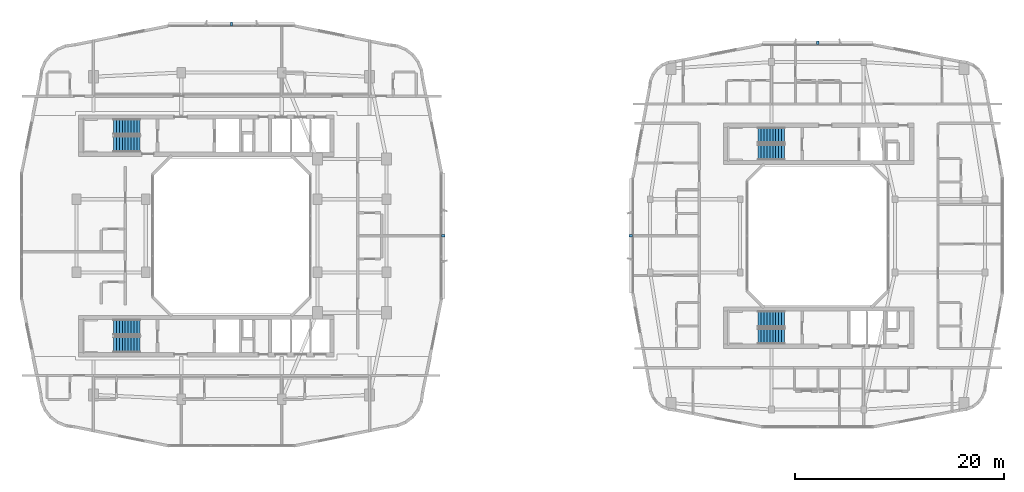
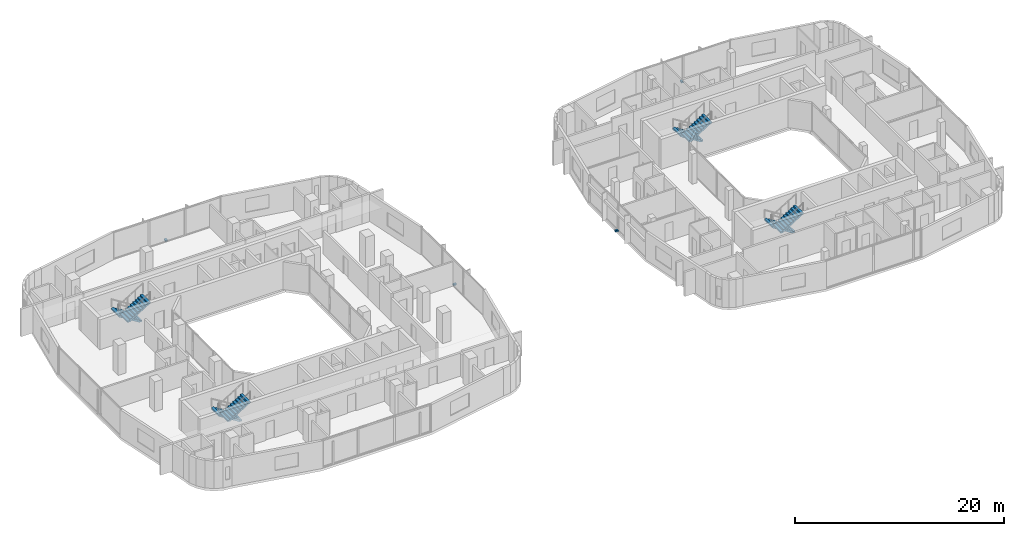
# One storey, part 21 of 26: 8 stair flights, 4 discrete accessories, 4 elements without a shape of their own.
"""IFC4 building model written with IfcOpenShell, lengths in metres."""

from ifc_helpers import new_model, si_unit, derived_unit, direction, frame, origin, origin_2d, place, context, subcontext, project, spatial, polyline, rectangle, outline, extrude, material, type_object, element, aggregate, save


model = new_model("IFC4")

# Units and contexts
model_context = context("Model", 3, precision=1e-05, world=origin(), true_north=direction((0.0, 1.0)))
body_context = subcontext(model_context, "Body", "Model", "MODEL_VIEW")
ifc_project = project(units=[si_unit("LENGTHUNIT", "METRE"), si_unit("AREAUNIT", "SQUARE_METRE"), si_unit("VOLUMEUNIT", "CUBIC_METRE"), si_unit("PLANEANGLEUNIT", "RADIAN"), si_unit("MASSUNIT", "GRAM", prefix="KILO"), derived_unit("THERMALTRANSMITTANCEUNIT", [(si_unit("POWERUNIT", "WATT"), 1), (si_unit("LENGTHUNIT", "METRE"), -2), (si_unit("THERMODYNAMICTEMPERATUREUNIT", "KELVIN"), -1)])], contexts=[model_context])

# Site, building, storey
site_placement = place(None, origin())
site = spatial("IfcSite", under=ifc_project, at=site_placement, CompositionType="ELEMENT")
building_placement = place(site_placement, origin())
building = spatial("IfcBuilding", under=site, at=building_placement, Name="Kivonza Crest Hotel", CompositionType="ELEMENT")
storey_placement = place(building_placement, frame((0.0, 0.0, 127.5)))
storey = spatial("IfcBuildingStorey", under=building, at=storey_placement, Name="L34", CompositionType="ELEMENT", Elevation=127.5)

# Stair, stair flights
ifc_material_1 = material(Name="Concrete C40/50", Category="concrete")
stair_type = type_object("IfcStairType", Name="ST-DL-20R", PredefinedType="HALF_TURN_STAIR", material=ifc_material_1)
stair_1_placement = place(storey_placement, origin())
stair_1 = element("IfcStair", 1, at=stair_1_placement, inside=storey, type_object=stair_type, Name="L34 Protected Exit Stair ST-T1-N", PredefinedType="HALF_TURN_STAIR")
stair_flight_type = type_object("IfcStairFlightType", Name="SFL-RC-10R", PredefinedType="STRAIGHT", material=ifc_material_1)
stair_flight_1_placement = place(storey_placement, frame((12.239990234375, 35.409912109375, 0.0), z_axis=(0.0, 0.0, 1.0), x_axis=(-1.0, 0.0, 0.0)))
stair_flight_1 = element("IfcStairFlight", 2, at=stair_flight_1_placement, type_object=stair_flight_type, Name="ST-T1-N flight 1", NumberOfRisers=10, NumberOfTreads=9, PredefinedType="STRAIGHT", RiserHeight=0.175, TreadLength=0.28, context=body_context, shape_type="SweptSolid", body=[
    extrude(outline(polyline([(0.0, 0.0), (0.0, 0.175048828125), (0.280029296875, 0.175048828125), (0.280029296875, 0.35009765625), (0.56005859375, 0.35009765625), (0.56005859375, 0.52490234375), (0.840087890625, 0.52490234375), (0.840087890625, 0.699951171875), (1.1201171875, 0.699951171875), (1.1201171875, 0.875), (1.39990234375, 0.875), (1.39990234375, 1.050048828125), (1.679931640625, 1.050048828125), (1.679931640625, 1.22509765625), (1.9599609375, 1.22509765625), (1.9599609375, 1.39990234375), (2.239990234375, 1.39990234375), (2.239990234375, 1.574951171875), (2.52001953125, 1.574951171875), (2.52001953125, 1.75), (2.52001953125, 1.398193359375), (0.28271484375, 0.0), (0.0, 0.0)])), frame((0.0, 0.75, 0.0), z_axis=(0.0, -1.0, 0.0), x_axis=(1.0, 0.0, 0.0)), (0.0, 0.0, 1.0), 1.5),
])
stair_flight_2_placement = place(storey_placement, frame((9.719970703125, 33.77001953125, 1.75), z_axis=(0.0, 0.0, 1.0), x_axis=(1.0, 0.0, 0.0)))
stair_flight_2 = element("IfcStairFlight", 3, at=stair_flight_2_placement, type_object=stair_flight_type, Name="ST-T1-N flight 2", NumberOfRisers=10, NumberOfTreads=9, PredefinedType="STRAIGHT", RiserHeight=0.175, TreadLength=0.28, context=body_context, shape_type="SweptSolid", body=[
    extrude(outline(polyline([(0.0, 0.0), (0.0, 0.175048828125), (0.280029296875, 0.175048828125), (0.280029296875, 0.35009765625), (0.56005859375, 0.35009765625), (0.56005859375, 0.52490234375), (0.840087890625, 0.52490234375), (0.840087890625, 0.699951171875), (1.1201171875, 0.699951171875), (1.1201171875, 0.875), (1.39990234375, 0.875), (1.39990234375, 1.050048828125), (1.679931640625, 1.050048828125), (1.679931640625, 1.22509765625), (1.9599609375, 1.22509765625), (1.9599609375, 1.39990234375), (2.239990234375, 1.39990234375), (2.239990234375, 1.574951171875), (2.52001953125, 1.574951171875), (2.52001953125, 1.75), (2.52001953125, 1.398193359375), (0.28271484375, 0.0), (0.0, 0.0)])), frame((0.0, 0.75, 0.0), z_axis=(0.0, -1.0, 0.0), x_axis=(1.0, 0.0, 0.0)), (0.0, 0.0, 1.0), 1.5),
])
aggregate(stair_1, [stair_flight_1, stair_flight_2])

stair_2_placement = place(storey_placement, origin())
stair_2 = element("IfcStair", 4, at=stair_2_placement, inside=storey, type_object=stair_type, Name="L34 Protected Exit Stair ST-T1-S", PredefinedType="HALF_TURN_STAIR")
stair_flight_3_placement = place(storey_placement, frame((12.239990234375, 16.25, 0.0), z_axis=(0.0, 0.0, 1.0), x_axis=(-1.0, 0.0, 0.0)))
stair_flight_3 = element("IfcStairFlight", 5, at=stair_flight_3_placement, type_object=stair_flight_type, Name="ST-T1-S flight 1", NumberOfRisers=10, NumberOfTreads=9, PredefinedType="STRAIGHT", RiserHeight=0.175, TreadLength=0.28, context=body_context, shape_type="SweptSolid", body=[
    extrude(outline(polyline([(0.0, 0.0), (0.0, 0.175048828125), (0.280029296875, 0.175048828125), (0.280029296875, 0.35009765625), (0.56005859375, 0.35009765625), (0.56005859375, 0.52490234375), (0.840087890625, 0.52490234375), (0.840087890625, 0.699951171875), (1.1201171875, 0.699951171875), (1.1201171875, 0.875), (1.39990234375, 0.875), (1.39990234375, 1.050048828125), (1.679931640625, 1.050048828125), (1.679931640625, 1.22509765625), (1.9599609375, 1.22509765625), (1.9599609375, 1.39990234375), (2.239990234375, 1.39990234375), (2.239990234375, 1.574951171875), (2.52001953125, 1.574951171875), (2.52001953125, 1.75), (2.52001953125, 1.398193359375), (0.28271484375, 0.0), (0.0, 0.0)])), frame((0.0, 0.75, 0.0), z_axis=(0.0, -1.0, 0.0), x_axis=(1.0, 0.0, 0.0)), (0.0, 0.0, 1.0), 1.5),
])
stair_flight_4_placement = place(storey_placement, frame((9.719970703125, 14.610107421875, 1.75), z_axis=(0.0, 0.0, 1.0), x_axis=(1.0, 0.0, 0.0)))
stair_flight_4 = element("IfcStairFlight", 6, at=stair_flight_4_placement, type_object=stair_flight_type, Name="ST-T1-S flight 2", NumberOfRisers=10, NumberOfTreads=9, PredefinedType="STRAIGHT", RiserHeight=0.175, TreadLength=0.28, context=body_context, shape_type="SweptSolid", body=[
    extrude(outline(polyline([(0.0, 0.0), (0.0, 0.175048828125), (0.280029296875, 0.175048828125), (0.280029296875, 0.35009765625), (0.56005859375, 0.35009765625), (0.56005859375, 0.52490234375), (0.840087890625, 0.52490234375), (0.840087890625, 0.699951171875), (1.1201171875, 0.699951171875), (1.1201171875, 0.875), (1.39990234375, 0.875), (1.39990234375, 1.050048828125), (1.679931640625, 1.050048828125), (1.679931640625, 1.22509765625), (1.9599609375, 1.22509765625), (1.9599609375, 1.39990234375), (2.239990234375, 1.39990234375), (2.239990234375, 1.574951171875), (2.52001953125, 1.574951171875), (2.52001953125, 1.75), (2.52001953125, 1.398193359375), (0.28271484375, 0.0), (0.0, 0.0)])), frame((0.0, 0.75, 0.0), z_axis=(0.0, -1.0, 0.0), x_axis=(1.0, 0.0, 0.0)), (0.0, 0.0, 1.0), 1.5),
])
aggregate(stair_2, [stair_flight_3, stair_flight_4])

stair_3_placement = place(storey_placement, origin())
stair_3 = element("IfcStair", 7, at=stair_3_placement, inside=storey, type_object=stair_type, Name="L34 Protected Exit Stair ST-T2-N", PredefinedType="HALF_TURN_STAIR")
stair_flight_5_placement = place(storey_placement, frame((73.840087890625, 34.610107421875, 0.0), z_axis=(0.0, 0.0, 1.0), x_axis=(-1.0, 0.0, 0.0)))
stair_flight_5 = element("IfcStairFlight", 8, at=stair_flight_5_placement, type_object=stair_flight_type, Name="ST-T2-N flight 1", NumberOfRisers=10, NumberOfTreads=9, PredefinedType="STRAIGHT", RiserHeight=0.175, TreadLength=0.28, context=body_context, shape_type="SweptSolid", body=[
    extrude(outline(polyline([(0.0, 0.0), (0.0, 0.175048828125), (0.280029296875, 0.175048828125), (0.280029296875, 0.35009765625), (0.56005859375, 0.35009765625), (0.56005859375, 0.52490234375), (0.840087890625, 0.52490234375), (0.840087890625, 0.699951171875), (1.1201171875, 0.699951171875), (1.1201171875, 0.875), (1.39990234375, 0.875), (1.39990234375, 1.050048828125), (1.679931640625, 1.050048828125), (1.679931640625, 1.22509765625), (1.9599609375, 1.22509765625), (1.9599609375, 1.39990234375), (2.239990234375, 1.39990234375), (2.239990234375, 1.574951171875), (2.52001953125, 1.574951171875), (2.52001953125, 1.75), (2.52001953125, 1.398193359375), (0.28271484375, 0.0), (0.0, 0.0)])), frame((0.0, 0.75, 0.0), z_axis=(0.0, -1.0, 0.0), x_axis=(1.0, 0.0, 0.0)), (0.0, 0.0, 1.0), 1.5),
])
stair_flight_6_placement = place(storey_placement, frame((71.320068359375, 32.969970703125, 1.75), z_axis=(0.0, 0.0, 1.0), x_axis=(1.0, 0.0, 0.0)))
stair_flight_6 = element("IfcStairFlight", 9, at=stair_flight_6_placement, type_object=stair_flight_type, Name="ST-T2-N flight 2", NumberOfRisers=10, NumberOfTreads=9, PredefinedType="STRAIGHT", RiserHeight=0.175, TreadLength=0.28, context=body_context, shape_type="SweptSolid", body=[
    extrude(outline(polyline([(0.0, 0.0), (0.0, 0.175048828125), (0.280029296875, 0.175048828125), (0.280029296875, 0.35009765625), (0.56005859375, 0.35009765625), (0.56005859375, 0.52490234375), (0.840087890625, 0.52490234375), (0.840087890625, 0.699951171875), (1.1201171875, 0.699951171875), (1.1201171875, 0.875), (1.39990234375, 0.875), (1.39990234375, 1.050048828125), (1.679931640625, 1.050048828125), (1.679931640625, 1.22509765625), (1.9599609375, 1.22509765625), (1.9599609375, 1.39990234375), (2.239990234375, 1.39990234375), (2.239990234375, 1.574951171875), (2.52001953125, 1.574951171875), (2.52001953125, 1.75), (2.52001953125, 1.398193359375), (0.28271484375, 0.0), (0.0, 0.0)])), frame((0.0, 0.75, 0.0), z_axis=(0.0, -1.0, 0.0), x_axis=(1.0, 0.0, 0.0)), (0.0, 0.0, 1.0), 1.5),
])
aggregate(stair_3, [stair_flight_5, stair_flight_6])

stair_4_placement = place(storey_placement, origin())
stair_4 = element("IfcStair", 10, at=stair_4_placement, inside=storey, type_object=stair_type, Name="L34 Protected Exit Stair ST-T2-S", PredefinedType="HALF_TURN_STAIR")
stair_flight_7_placement = place(storey_placement, frame((73.840087890625, 17.050048828125, 0.0), z_axis=(0.0, 0.0, 1.0), x_axis=(-1.0, 0.0, 0.0)))
stair_flight_7 = element("IfcStairFlight", 11, at=stair_flight_7_placement, type_object=stair_flight_type, Name="ST-T2-S flight 1", NumberOfRisers=10, NumberOfTreads=9, PredefinedType="STRAIGHT", RiserHeight=0.175, TreadLength=0.28, context=body_context, shape_type="SweptSolid", body=[
    extrude(outline(polyline([(0.0, 0.0), (0.0, 0.175048828125), (0.280029296875, 0.175048828125), (0.280029296875, 0.35009765625), (0.56005859375, 0.35009765625), (0.56005859375, 0.52490234375), (0.840087890625, 0.52490234375), (0.840087890625, 0.699951171875), (1.1201171875, 0.699951171875), (1.1201171875, 0.875), (1.39990234375, 0.875), (1.39990234375, 1.050048828125), (1.679931640625, 1.050048828125), (1.679931640625, 1.22509765625), (1.9599609375, 1.22509765625), (1.9599609375, 1.39990234375), (2.239990234375, 1.39990234375), (2.239990234375, 1.574951171875), (2.52001953125, 1.574951171875), (2.52001953125, 1.75), (2.52001953125, 1.398193359375), (0.28271484375, 0.0), (0.0, 0.0)])), frame((0.0, 0.75, 0.0), z_axis=(0.0, -1.0, 0.0), x_axis=(1.0, 0.0, 0.0)), (0.0, 0.0, 1.0), 1.5),
])
stair_flight_8_placement = place(storey_placement, frame((71.320068359375, 15.409912109375, 1.75), z_axis=(0.0, 0.0, 1.0), x_axis=(1.0, 0.0, 0.0)))
stair_flight_8 = element("IfcStairFlight", 12, at=stair_flight_8_placement, type_object=stair_flight_type, Name="ST-T2-S flight 2", NumberOfRisers=10, NumberOfTreads=9, PredefinedType="STRAIGHT", RiserHeight=0.175, TreadLength=0.28, context=body_context, shape_type="SweptSolid", body=[
    extrude(outline(polyline([(0.0, 0.0), (0.0, 0.175048828125), (0.280029296875, 0.175048828125), (0.280029296875, 0.35009765625), (0.56005859375, 0.35009765625), (0.56005859375, 0.52490234375), (0.840087890625, 0.52490234375), (0.840087890625, 0.699951171875), (1.1201171875, 0.699951171875), (1.1201171875, 0.875), (1.39990234375, 0.875), (1.39990234375, 1.050048828125), (1.679931640625, 1.050048828125), (1.679931640625, 1.22509765625), (1.9599609375, 1.22509765625), (1.9599609375, 1.39990234375), (2.239990234375, 1.39990234375), (2.239990234375, 1.574951171875), (2.52001953125, 1.574951171875), (2.52001953125, 1.75), (2.52001953125, 1.398193359375), (0.28271484375, 0.0), (0.0, 0.0)])), frame((0.0, 0.75, 0.0), z_axis=(0.0, -1.0, 0.0), x_axis=(1.0, 0.0, 0.0)), (0.0, 0.0, 1.0), 1.5),
])
aggregate(stair_4, [stair_flight_7, stair_flight_8])

# Discrete accessories
ifc_material_2 = material(Name="Stainless steel 316", Category="steel")
discrete_accessory_type = type_object("IfcDiscreteAccessoryType", Name="AC-BRACKET-240", PredefinedType="BRACKET", material=ifc_material_2)
for number, where, z_axis, x_axis, name in (
    (13, (41.239990234375, 25.0, -0.009765625), (0.0, 0.0, 1.0), (0.0, 1.0, 0.0), "L34 terracotta baguette support bracket CW-T1-L34-17"),
    (14, (21.0, 45.239990234375, -0.009765625), (0.0, 0.0, 1.0), (-1.0, 0.0, 0.0), "L34 terracotta baguette support bracket CW-T1-L34-26"),
    (15, (77.0, 43.43994140625, -0.009765625), (0.0, 0.0, 1.0), (-1.0, 0.0, 0.0), "L34 terracotta baguette support bracket CW-T2-L34-26"),
    (16, (59.159912109375, 25.0, -0.009765625), (0.0, 0.0, 1.0), (0.0, -1.0, 0.0), "L34 terracotta baguette support bracket CW-T2-L34-35"),
):
    element("IfcDiscreteAccessory", number, at=place(storey_placement, frame(where, z_axis=z_axis, x_axis=x_axis)), inside=storey, type_object=discrete_accessory_type, Name=name, PredefinedType="BRACKET", context=body_context, shape_type="SweptSolid", body=[
        extrude(rectangle(XDim=0.219970703125, YDim=0.340087890625, at=origin_2d()), origin(), (0.0, 0.0, 1.0), 0.179931640625),
    ])

save(model, "model.ifc")
